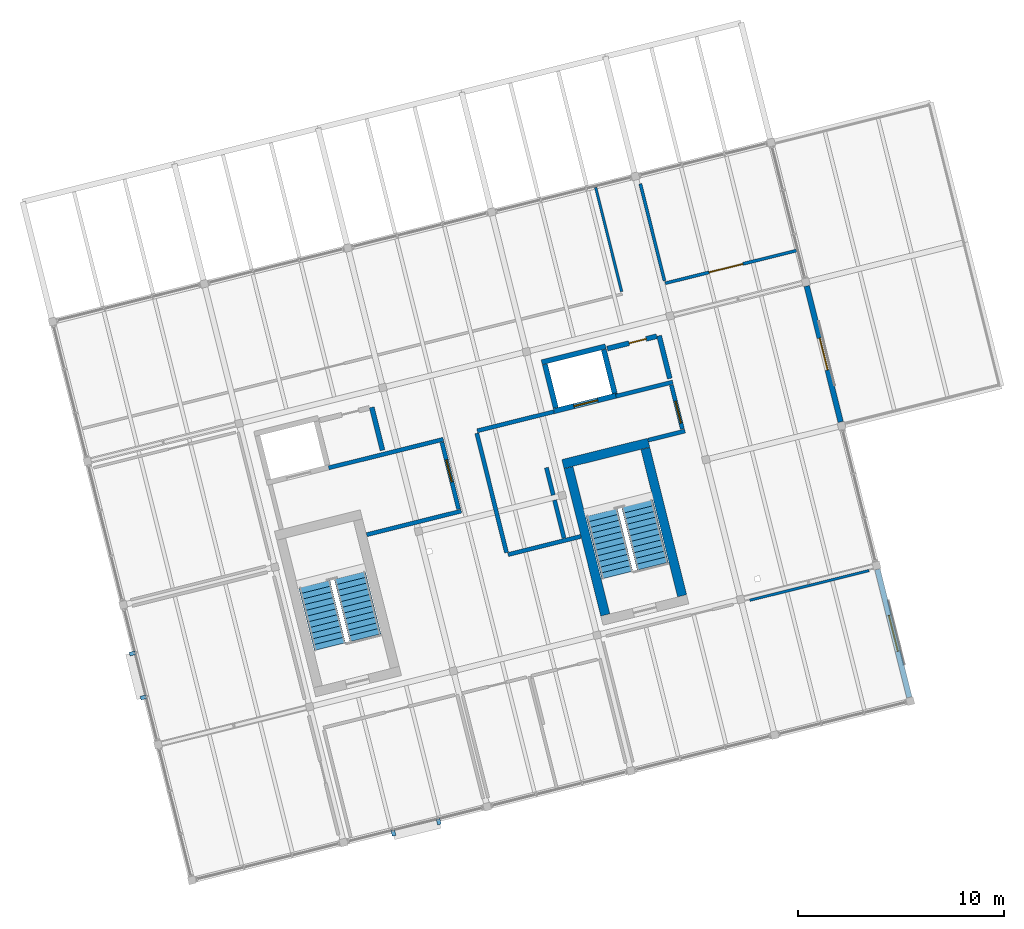
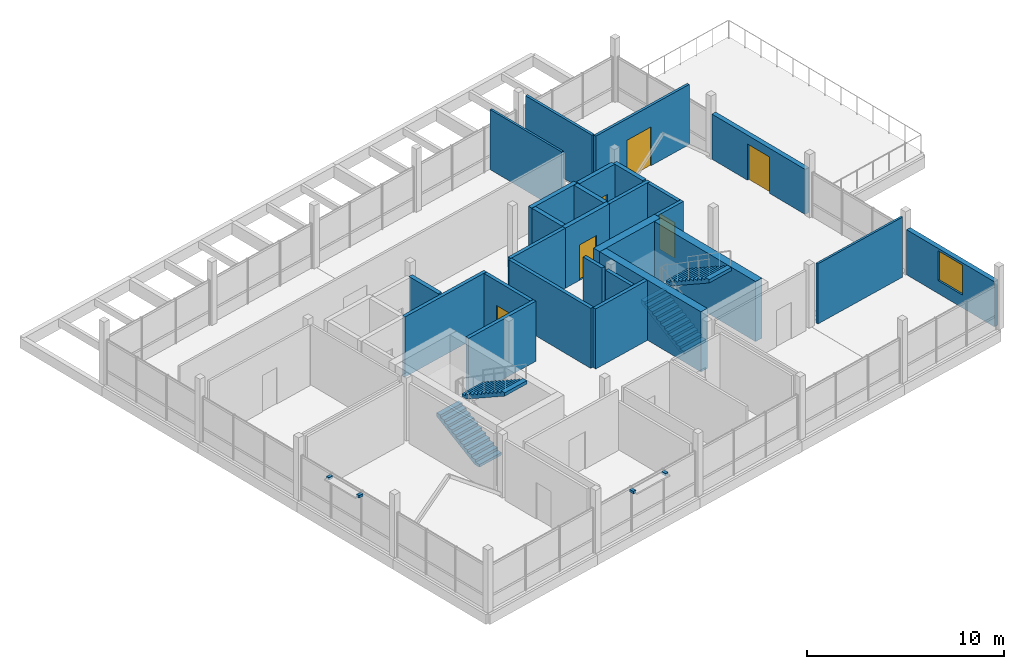
# One storey, part 27 of 28: 27 walls, 6 doors, 4 discrete accessories, 4 stair flights, 1 window, 7 openings, 2 elements without a shape of their own.
"""IFC4 building model written with IfcOpenShell, lengths in metres."""

from ifc_helpers import new_model, si_unit, direction, frame, frame_2d, origin, origin_2d, place, context, subcontext, project, spatial, polyline, rectangle, outline, extrude, material, layer, layer_set, type_object, element, fill, aggregate, save


model = new_model("IFC4")

# Units and contexts
model_context = context("Model", 3, precision=1e-05, world=origin(), true_north=direction((0.0, 1.0)))
body_context = subcontext(model_context, "Body", "Model", "MODEL_VIEW")
ifc_project = project(units=[si_unit("LENGTHUNIT", "METRE"), si_unit("AREAUNIT", "SQUARE_METRE"), si_unit("VOLUMEUNIT", "CUBIC_METRE"), si_unit("PLANEANGLEUNIT", "RADIAN"), si_unit("MASSUNIT", "GRAM", prefix="KILO")], contexts=[model_context])

# Site, building, storey
site_placement = place(None, origin())
site = spatial("IfcSite", under=ifc_project, at=site_placement, CompositionType="ELEMENT")
building_placement = place(site_placement, origin())
building = spatial("IfcBuilding", under=site, at=building_placement, Name="Meriwether Solvik Hall", CompositionType="ELEMENT")
storey_placement = place(building_placement, frame((0.0, 0.0, 45.60009765625)))
storey = spatial("IfcBuildingStorey", under=building, at=storey_placement, Name="L11", CompositionType="ELEMENT", Elevation=45.60009765625)

# Wall, opening, window
ifc_material_1 = material(Name="Charred Western Red Cedar Timber and Mineral Wool", Category="wood")
ifc_layer_1 = layer(ifc_material_1, 0.27001953125)
ifc_layer_set_1 = layer_set([ifc_layer_1], Name="Charred Western Red Cedar Timber and Mineral Wool")
wall_type_1 = type_object("IfcWallType", Name="WALL-EXT-270", PredefinedType="SOLIDWALL", material=ifc_layer_set_1)
wall_1_placement = place(storey_placement, frame((101.9326171875, 56.318359375, 0.0), z_axis=(0.0, 0.0, 1.0), x_axis=(0.241935226372, -0.970292402444, 0.0)))
wall_1 = element("IfcWall", 1, at=wall_1_placement, inside=storey, type_object=wall_type_1, Name="L11 Timber Rainscreen Wall 2.0", PredefinedType="SOLIDWALL", context=body_context, shape_type="SweptSolid", body=[
    extrude(rectangle(XDim=6.410888671875, YDim=0.27001953125, at=frame_2d((3.20556640625, 0.0))), origin(), (0.0, 0.0, 1.0), 2.789794921875),
])
opening_1_placement = place(wall_1_placement, frame((2.305419921875, 0.0, 0.800048828125)))
opening_1 = element("IfcOpeningElement", 2, at=opening_1_placement, cuts=wall_1, Name="Opening WN-188", PredefinedType="OPENING", context=body_context, shape_type="SweptSolid", body=[
    extrude(rectangle(XDim=1.800048828125, YDim=1.85009765625, at=frame_2d((0.89990234375, 0.925048828125))), frame((0.0, 0.14697265625, 0.0), z_axis=(0.0, -1.0, 0.0), x_axis=(1.0, 0.0, 0.0)), (0.0, 0.0, 1.0), 0.2939453125),
])
ifc_material_2 = material(Name="Thermally Broken Anodised Aluminium and Triple Low-E Glass", Category="aluminium")
window_type = type_object("IfcWindowType", Name="WIN-TW-UPP-180X185", PartitioningType="SINGLE_PANEL", PredefinedType="WINDOW", material=ifc_material_2)
window_placement = place(opening_1_placement, origin())
window = element("IfcWindow", 3, at=window_placement, inside=storey, type_object=window_type, Name="L11 Punched Window 2.0", OverallHeight=1.85009765625, OverallWidth=1.800048828125, PartitioningType="SINGLE_PANEL", PredefinedType="WINDOW", context=body_context, shape_type="SweptSolid", body=[
    extrude(rectangle(XDim=1.800048828125, YDim=1.85009765625, at=frame_2d((0.89990234375, 0.925048828125))), frame((0.0, 0.030029296875, 0.0), z_axis=(0.0, -1.0, 0.0), x_axis=(1.0, 0.0, 0.0)), (0.0, 0.0, 1.0), 0.06005859375),
])
fill(opening_1, window)

# Wall, opening, door
wall_2_placement = place(storey_placement, frame((98.497314453125, 70.0966796875, 0.0), z_axis=(0.0, 0.0, 1.0), x_axis=(0.241919880577, -0.970296228675, 0.0)))
wall_2 = element("IfcWall", 4, at=wall_2_placement, inside=storey, type_object=wall_type_1, Name="L11 Timber Rainscreen Wall 2.2", PredefinedType="SOLIDWALL", context=body_context, shape_type="SweptSolid", body=[
    extrude(rectangle(XDim=6.81103515625, YDim=0.27001953125, at=frame_2d((3.405517578125, 0.0))), origin(), (0.0, 0.0, 1.0), 2.789794921875),
])
opening_2_placement = place(wall_2_placement, frame((2.60546875, 0.0, 0.0)))
opening_2 = element("IfcOpeningElement", 5, at=opening_2_placement, cuts=wall_2, Name="Opening D-120", PredefinedType="OPENING", context=body_context, shape_type="SweptSolid", body=[
    extrude(rectangle(XDim=1.60009765625, YDim=2.25, at=frame_2d((0.800048828125, 1.125))), frame((0.0, 0.14697265625, 0.0), z_axis=(0.0, -1.0, 0.0), x_axis=(1.0, 0.0, 0.0)), (0.0, 0.0, 1.0), 0.2939453125),
])
ifc_material_3 = material(Name="Thermally Broken Anodised Aluminium and Laminated Glass", Category="aluminium")
door_type_1 = type_object("IfcDoorType", Name="DR-EXT-TERR-1600", OperationType="DOUBLE_DOOR_SINGLE_SWING", PredefinedType="DOOR", material=ifc_material_3)
door_1_placement = place(opening_2_placement, origin())
door_1 = element("IfcDoor", 6, at=door_1_placement, inside=storey, type_object=door_type_1, Name="L11 Setback Terrace Door", OperationType="DOUBLE_DOOR_SINGLE_SWING", OverallHeight=2.25, OverallWidth=1.60009765625, PredefinedType="DOOR", context=body_context, shape_type="SweptSolid", body=[
    extrude(rectangle(XDim=1.60009765625, YDim=2.25, at=frame_2d((0.800048828125, 1.125))), frame((0.0, 0.02490234375, 0.0), z_axis=(0.0, -1.0, 0.0), x_axis=(1.0, 0.0, 0.0)), (0.0, 0.0, 1.0), 0.050048828125),
])
fill(opening_2, door_1)

# Walls
ifc_material_4 = material(Name="Fire-Rated Type X Gypsum Board", Category="gypsum")
ifc_layer_2 = layer(ifc_material_4, 0.199951171875)
ifc_layer_set_2 = layer_set([ifc_layer_2], Name="Fire-Rated Type X Gypsum Board")
wall_type_2 = type_object("IfcWallType", Name="WALL-FIRE-200", PredefinedType="STANDARD", material=ifc_layer_set_2)
wall_3_placement = place(storey_placement, frame((77.096923828125, 58.0048828125, 0.0), z_axis=(0.0, 0.0, 1.0), x_axis=(0.970305892741, 0.241881116483, 0.0)))
element("IfcWall", 7, at=wall_3_placement, inside=storey, type_object=wall_type_2, Name="L11 Interior Partition lb1_s", PredefinedType="STANDARD", context=body_context, shape_type="SweptSolid", body=[
    extrude(rectangle(XDim=4.73974609375, YDim=0.199951171875, at=frame_2d((2.369873046875, 0.0))), origin(), (0.0, 0.0, 1.0), 3.719970703125),
])
wall_4_placement = place(storey_placement, frame((75.24609375, 61.25341796875, 0.0), z_axis=(0.0, 0.0, 1.0), x_axis=(0.970292173201, 0.24193614576, 0.0)))
element("IfcWall", 8, at=wall_4_placement, inside=storey, type_object=wall_type_2, Name="L11 Interior Partition lb1_n_cap", PredefinedType="STANDARD", context=body_context, shape_type="SweptSolid", body=[
    extrude(rectangle(XDim=5.75, YDim=0.199951171875, at=frame_2d((2.875, 0.0))), origin(), (0.0, 0.0, 1.0), 3.719970703125),
])

# Wall, opening, door
wall_5_placement = place(storey_placement, frame((80.75732421875, 62.50390625, 0.0), z_axis=(0.0, 0.0, 1.0), x_axis=(0.241885902723, -0.970304699599, 0.0)))
wall_5 = element("IfcWall", 9, at=wall_5_placement, inside=storey, type_object=wall_type_2, Name="L11 Interior Partition lb1_e", PredefinedType="STANDARD", context=body_context, shape_type="SweptSolid", body=[
    extrude(rectangle(XDim=3.360107421875, YDim=0.199951171875, at=frame_2d((1.68017578125, 0.0))), origin(), (0.0, 0.0, 1.0), 3.719970703125),
])
opening_3_placement = place(wall_5_placement, frame((0.889892578125, 0.0, 0.0)))
opening_3 = element("IfcOpeningElement", 10, at=opening_3_placement, cuts=wall_5, Name="Opening D-168", PredefinedType="OPENING", context=body_context, shape_type="SweptSolid", body=[
    extrude(rectangle(XDim=1.10009765625, YDim=2.199951171875, at=frame_2d((0.550048828125, 1.10009765625))), frame((0.0, 0.11181640625, 0.0), z_axis=(0.0, -1.0, 0.0), x_axis=(1.0, 0.0, 0.0)), (0.0, 0.0, 1.0), 0.223876953125),
])
ifc_material_5 = material(Name="Steel A36 Galvanised", Category="steel")
door_type_2 = type_object("IfcDoorType", Name="DR-FD60-1100L", OperationType="SINGLE_SWING_LEFT", PredefinedType="DOOR", material=ifc_material_5)
door_2_placement = place(opening_3_placement, origin())
door_2 = element("IfcDoor", 11, at=door_2_placement, inside=storey, type_object=door_type_2, Name="West FSAE Lift Lobby Door (L11)", OperationType="SINGLE_SWING_LEFT", OverallHeight=2.199951171875, OverallWidth=1.10009765625, PredefinedType="DOOR", context=body_context, shape_type="SweptSolid", body=[
    extrude(rectangle(XDim=1.10009765625, YDim=2.199951171875, at=frame_2d((0.550048828125, 1.10009765625))), frame((0.0, 0.02490234375, 0.0), z_axis=(0.0, -1.0, 0.0), x_axis=(1.0, 0.0, 0.0)), (0.0, 0.0, 1.0), 0.050048828125),
])
fill(opening_3, door_2)

# Walls
wall_6_placement = place(storey_placement, frame((82.452880859375, 62.93701171875, 0.0), z_axis=(0.0, 0.0, 1.0), x_axis=(0.241891967324, -0.970303187743, 0.0)))
element("IfcWall", 12, at=wall_6_placement, inside=storey, type_object=wall_type_2, Name="L11 Interior Partition lb2_w", PredefinedType="STANDARD", context=body_context, shape_type="SweptSolid", body=[
    extrude(rectangle(XDim=5.97998046875, YDim=0.199951171875, at=frame_2d((2.989990234375, 0.0))), origin(), (0.0, 0.0, 1.0), 3.719970703125),
])
wall_7_placement = place(storey_placement, frame((83.972412109375, 57.03955078125, 0.0), z_axis=(0.0, 0.0, 1.0), x_axis=(0.97030000841, 0.241904720251, 0.0)))
element("IfcWall", 13, at=wall_7_placement, inside=storey, type_object=wall_type_2, Name="L11 Interior Partition lb2_s_w", PredefinedType="STANDARD", context=body_context, shape_type="SweptSolid", body=[
    extrude(rectangle(XDim=3.642333984375, YDim=0.199951171875, at=frame_2d((1.8212890625, 0.0))), origin(), (0.0, 0.0, 1.0), 3.719970703125),
])
wall_8_placement = place(storey_placement, frame((86.691650390625, 57.841064453125, 0.0), z_axis=(0.0, 0.0, 1.0), x_axis=(-0.241992731984, 0.970278062035, 0.0)))
element("IfcWall", 14, at=wall_8_placement, inside=storey, type_object=wall_type_2, Name="L11 Interior Partition lb2_e_low", PredefinedType="STANDARD", context=body_context, shape_type="SweptSolid", body=[
    extrude(rectangle(XDim=1.90478515625, YDim=0.199951171875, at=frame_2d((0.952392578125, 0.0))), origin(), (0.0, 0.0, 1.0), 3.719970703125),
])
wall_9_placement = place(storey_placement, frame((86.169921875, 59.932861328125, 0.0), z_axis=(0.0, 0.0, 1.0), x_axis=(-0.241824833036, 0.970319921535, 0.0)))
element("IfcWall", 15, at=wall_9_placement, inside=storey, type_object=wall_type_2, Name="L11 Interior Partition lb2_e_low_s2", PredefinedType="STANDARD", context=body_context, shape_type="SweptSolid", body=[
    extrude(rectangle(XDim=1.3740234375, YDim=0.199951171875, at=frame_2d((0.68701171875, 0.0))), origin(), (0.0, 0.0, 1.0), 3.719970703125),
])
wall_10_placement = place(storey_placement, frame((82.47265625, 63.05517578125, 0.0), z_axis=(0.0, 0.0, 1.0), x_axis=(0.970284368558, 0.241967444366, 0.0)))
element("IfcWall", 16, at=wall_10_placement, inside=storey, type_object=wall_type_2, Name="L11 Interior Partition lb2_n_cap_w", PredefinedType="STANDARD", context=body_context, shape_type="SweptSolid", body=[
    extrude(rectangle(XDim=3.84228515625, YDim=0.199951171875, at=frame_2d((1.921142578125, 0.0))), origin(), (0.0, 0.0, 1.0), 3.719970703125),
])
wall_11_placement = place(storey_placement, frame((90.791015625, 62.604248046875, 0.0), z_axis=(0.0, 0.0, 1.0), x_axis=(0.970306180373, 0.241879962645, 0.0)))
element("IfcWall", 17, at=wall_11_placement, inside=storey, type_object=wall_type_2, Name="L11 Interior Partition lb2_s", PredefinedType="STANDARD", context=body_context, shape_type="SweptSolid", body=[
    extrude(rectangle(XDim=1.840087890625, YDim=0.199951171875, at=frame_2d((0.919921875, 0.0))), origin(), (0.0, 0.0, 1.0), 3.719970703125),
])
wall_12_placement = place(storey_placement, frame((89.21826171875, 64.737060546875, 0.0), z_axis=(0.0, 0.0, 1.0), x_axis=(0.97027839681, 0.241991389687, 0.0)))
element("IfcWall", 18, at=wall_12_placement, inside=storey, type_object=wall_type_2, Name="L11 Interior Partition lb2_n_cap", PredefinedType="STANDARD", context=body_context, shape_type="SweptSolid", body=[
    extrude(rectangle(XDim=2.85009765625, YDim=0.199951171875, at=frame_2d((1.425048828125, 0.0))), origin(), (0.0, 0.0, 1.0), 3.719970703125),
])

# Wall, opening, door
wall_13_placement = place(storey_placement, frame((91.91552734375, 65.2861328125, 0.0), z_axis=(0.0, 0.0, 1.0), x_axis=(0.241911789465, -0.970298245963, 0.0)))
wall_13 = element("IfcWall", 19, at=wall_13_placement, inside=storey, type_object=wall_type_2, Name="L11 Interior Partition lb2_e", PredefinedType="STANDARD", context=body_context, shape_type="SweptSolid", body=[
    extrude(rectangle(XDim=2.210205078125, YDim=0.199951171875, at=frame_2d((1.10498046875, 0.0))), origin(), (0.0, 0.0, 1.0), 3.719970703125),
])
opening_4_placement = place(wall_13_placement, frame((0.81005859375, 0.0, 0.0)))
opening_4 = element("IfcOpeningElement", 20, at=opening_4_placement, cuts=wall_13, Name="Opening D-168", PredefinedType="OPENING", context=body_context, shape_type="SweptSolid", body=[
    extrude(rectangle(XDim=1.10009765625, YDim=2.199951171875, at=frame_2d((0.550048828125, 1.10009765625))), frame((0.0, 0.11181640625, 0.0), z_axis=(0.0, -1.0, 0.0), x_axis=(1.0, 0.0, 0.0)), (0.0, 0.0, 1.0), 0.223876953125),
])
door_3_placement = place(opening_4_placement, origin())
door_3 = element("IfcDoor", 21, at=door_3_placement, inside=storey, type_object=door_type_2, Name="East FSAE Lift Lobby Door (L11)", OperationType="SINGLE_SWING_LEFT", OverallHeight=2.199951171875, OverallWidth=1.10009765625, PredefinedType="DOOR", context=body_context, shape_type="SweptSolid", body=[
    extrude(rectangle(XDim=1.10009765625, YDim=2.199951171875, at=frame_2d((0.550048828125, 1.10009765625))), frame((0.0, 0.02490234375, 0.0), z_axis=(0.0, -1.0, 0.0), x_axis=(1.0, 0.0, 0.0)), (0.0, 0.0, 1.0), 0.050048828125),
])
fill(opening_4, door_3)

# Walls
ifc_material_6 = material(Name="Concrete C40/50", Category="concrete")
ifc_layer_3 = layer(ifc_material_6, 0.25)
ifc_layer_set_3 = layer_set([ifc_layer_3], Name="Concrete C40/50")
wall_type_3 = type_object("IfcWallType", Name="WALL-HOIST-250", PredefinedType="SHEAR", material=ifc_layer_set_3)
wall_14_placement = place(storey_placement, frame((88.716552734375, 67.162841796875, 0.0), z_axis=(0.0, 0.0, 1.0), x_axis=(-0.970294894235, -0.241925232711, 0.0)))
element("IfcWall", 22, at=wall_14_placement, inside=storey, type_object=wall_type_3, Name="Hoistway BANK2 North Wall (L11)", PredefinedType="SHEAR", context=body_context, shape_type="SweptSolid", body=[
    extrude(rectangle(XDim=3.199951171875, YDim=0.25, at=frame_2d((1.60009765625, 0.0))), origin(), (0.0, 0.0, 1.0), 3.719970703125),
])
for number, where, z_axis, x_axis, name in (
    (23, (85.765625, 66.287841796875, 0.0), (0.0, 0.0, 1.0), (0.241903146974, -0.970300400641, 0.0), "Hoistway BANK2 West Wall (L11)"),
    (24, (89.1552734375, 64.886474609375, 0.0), (0.0, 0.0, 1.0), (-0.241903146974, 0.970300400641, 0.0), "Hoistway BANK2 East Wall (L11)"),
):
    element("IfcWall", number, at=place(storey_placement, frame(where, z_axis=z_axis, x_axis=x_axis)), inside=storey, type_object=wall_type_3, Name=name, PredefinedType="SHEAR", context=body_context, shape_type="SweptSolid", body=[
        extrude(rectangle(XDim=2.179931640625, YDim=0.25, at=frame_2d((1.08984375, 0.0))), origin(), (0.0, 0.0, 1.0), 3.719970703125),
    ])

# Wall, opening, door
wall_15_placement = place(storey_placement, frame((86.204345703125, 64.011474609375, 0.0), z_axis=(0.0, 0.0, 1.0), x_axis=(0.970294894235, 0.241925232711, 0.0)))
wall_15 = element("IfcWall", 25, at=wall_15_placement, inside=storey, type_object=wall_type_3, Name="Lift LF-02 Landing Wall (L11)", PredefinedType="SHEAR", context=body_context, shape_type="SweptSolid", body=[
    extrude(rectangle(XDim=3.199951171875, YDim=0.25, at=frame_2d((1.60009765625, 0.0))), origin(), (0.0, 0.0, 1.0), 3.719970703125),
])
opening_5_placement = place(wall_15_placement, frame((1.0, 0.0, 0.0)))
opening_5 = element("IfcOpeningElement", 26, at=opening_5_placement, cuts=wall_15, Name="Opening LD-02", PredefinedType="OPENING", context=body_context, shape_type="SweptSolid", body=[
    extrude(rectangle(XDim=1.199951171875, YDim=2.199951171875, at=frame_2d((0.60009765625, 1.10009765625))), frame((0.0, 0.136962890625, 0.0), z_axis=(0.0, -1.0, 0.0), x_axis=(1.0, 0.0, 0.0)), (0.0, 0.0, 1.0), 0.27392578125),
])
ifc_material_7 = material(Name="Stainless Steel AISI 316", Category="steel")
door_type_3 = type_object("IfcDoorType", Name="DR-LIFT-FSAE", OperationType="DOUBLE_DOOR_SLIDING", PredefinedType="DOOR", material=ifc_material_7)
door_4_placement = place(opening_5_placement, origin())
door_4 = element("IfcDoor", 27, at=door_4_placement, inside=storey, type_object=door_type_3, Name="Lift Landing Door LF-02 (L11)", OperationType="DOUBLE_DOOR_SLIDING", OverallHeight=2.199951171875, OverallWidth=1.199951171875, PredefinedType="DOOR", context=body_context, shape_type="SweptSolid", body=[
    extrude(rectangle(XDim=1.199951171875, YDim=2.199951171875, at=frame_2d((0.60009765625, 1.10009765625))), frame((0.0, 0.02490234375, 0.0), z_axis=(0.0, -1.0, 0.0), x_axis=(1.0, 0.0, 0.0)), (0.0, 0.0, 1.0), 0.050048828125),
])
fill(opening_5, door_4)

# Walls
ifc_material_8 = material(Name="Gypsum Board Partition", Category="gypsum")
ifc_layer_4 = layer(ifc_material_8, 0.125)
ifc_layer_set_4 = layer_set([ifc_layer_4], Name="Gypsum Board Partition")
wall_type_4 = type_object("IfcWallType", Name="WALL-PART-125", PredefinedType="PARTITIONING", material=ifc_layer_set_4)
wall_16_placement = place(storey_placement, frame((89.49560546875, 69.825439453125, 0.0), z_axis=(0.0, 0.0, 1.0), x_axis=(-0.241941325135, 0.970290881742, 0.0)))
element("IfcWall", 28, at=wall_16_placement, inside=storey, type_object=wall_type_4, Name="L11 Interior Partition res_11n_e", PredefinedType="PARTITIONING", context=body_context, shape_type="SweptSolid", body=[
    extrude(rectangle(XDim=5.219970703125, YDim=0.125, at=frame_2d((2.60986328125, 0.0))), origin(), (0.0, 0.0, 1.0), 3.719970703125),
])
wall_17_placement = place(storey_placement, frame((101.520751953125, 56.26171875, 0.0), z_axis=(0.0, 0.0, 1.0), x_axis=(-0.970293732071, -0.24192989378, 0.0)))
element("IfcWall", 29, at=wall_17_placement, inside=storey, type_object=wall_type_4, Name="L11 Interior Partition off_11s_n", PredefinedType="PARTITIONING", context=body_context, shape_type="SweptSolid", body=[
    extrude(rectangle(XDim=5.97509765625, YDim=0.125, at=frame_2d((2.987548828125, 0.0))), origin(), (0.0, 0.0, 1.0), 3.719970703125),
])

# Wall, opening, door
ifc_material_9 = material(Name="Gypsum Board Partition", Category="gypsum")
ifc_layer_5 = layer(ifc_material_9, 0.14990234375)
ifc_layer_set_5 = layer_set([ifc_layer_5], Name="Gypsum Board Partition")
wall_type_5 = type_object("IfcWallType", Name="WALL-PART-150", PredefinedType="PARTITIONING", material=ifc_layer_set_5)
wall_18_placement = place(storey_placement, frame((91.61083984375, 70.22900390625, 0.0), z_axis=(0.0, 0.0, 1.0), x_axis=(0.970294860044, 0.241925369839, 0.0)))
wall_18 = element("IfcWall", 30, at=wall_18_placement, inside=storey, type_object=wall_type_5, Name="L11 Interior Partition sky_lng_s", PredefinedType="PARTITIONING", context=body_context, shape_type="SweptSolid", body=[
    extrude(rectangle(XDim=6.58984375, YDim=0.14990234375, at=frame_2d((3.294921875, 0.0))), origin(), (0.0, 0.0, 1.0), 3.719970703125),
])
opening_6_placement = place(wall_18_placement, frame((2.199951171875, 0.0, 0.0)))
opening_6 = element("IfcOpeningElement", 31, at=opening_6_placement, cuts=wall_18, Name="Opening D-114", PredefinedType="OPENING", context=body_context, shape_type="SweptSolid", body=[
    extrude(rectangle(XDim=1.699951171875, YDim=2.39990234375, at=frame_2d((0.85009765625, 1.199951171875))), frame((0.0, 0.0869140625, 0.0), z_axis=(0.0, -1.0, 0.0), x_axis=(1.0, 0.0, 0.0)), (0.0, 0.0, 1.0), 0.173828125),
])
ifc_material_10 = material(Name="Laminated Vision Glass and Solid White Oak Timber", Category="wood")
door_type_4 = type_object("IfcDoorType", Name="DR-GAL-1700", OperationType="DOUBLE_DOOR_SINGLE_SWING", PredefinedType="DOOR", material=ifc_material_10)
door_5_placement = place(opening_6_placement, origin())
door_5 = element("IfcDoor", 32, at=door_5_placement, inside=storey, type_object=door_type_4, Name="L11 Setback Sky-Terrace Lounge Door", OperationType="DOUBLE_DOOR_SINGLE_SWING", OverallHeight=2.39990234375, OverallWidth=1.699951171875, PredefinedType="DOOR", context=body_context, shape_type="SweptSolid", body=[
    extrude(rectangle(XDim=1.699951171875, YDim=2.39990234375, at=frame_2d((0.85009765625, 1.199951171875))), frame((0.0, 0.02490234375, 0.0), z_axis=(0.0, -1.0, 0.0), x_axis=(1.0, 0.0, 0.0)), (0.0, 0.0, 1.0), 0.050048828125),
])
fill(opening_6, door_5)

# Walls
wall_19_placement = place(storey_placement, frame((90.404296875, 75.0673828125, 0.0), z_axis=(0.0, 0.0, 1.0), x_axis=(0.24195718177, -0.970286927764, 0.0)))
element("IfcWall", 33, at=wall_19_placement, inside=storey, type_object=wall_type_5, Name="L11 Interior Partition sky_lng_w", PredefinedType="PARTITIONING", context=body_context, shape_type="SweptSolid", body=[
    extrude(rectangle(XDim=4.866455078125, YDim=0.14990234375, at=frame_2d((2.43310546875, 0.0))), origin(), (0.0, 0.0, 1.0), 3.719970703125),
])
ifc_material_11 = material(Name="Concrete C45/55", Category="concrete")
ifc_layer_6 = layer(ifc_material_11, 0.449951171875)
ifc_layer_set_6 = layer_set([ifc_layer_6], Name="Concrete C45/55")
wall_type_6 = type_object("IfcWallType", Name="WALL-RC-450", PredefinedType="SHEAR", material=ifc_layer_set_6)
wall_20_placement = place(storey_placement, frame((90.8115234375, 62.48046875, 0.0), z_axis=(0.0, 0.0, 1.0), x_axis=(-0.970309259708, -0.2418676095, 0.0)))
element("IfcWall", 34, at=wall_20_placement, inside=storey, type_object=wall_type_6, Name="CORE-2 Shear Wall N (L11)", PredefinedType="SHEAR", context=body_context, shape_type="SweptSolid", body=[
    extrude(rectangle(XDim=4.300048828125, YDim=0.449951171875, at=frame_2d((2.14990234375, 0.0))), origin(), (0.0, 0.0, 1.0), 3.719970703125),
])
for number, where, z_axis, x_axis, name in (
    (35, (86.91455078125, 61.266845703125, 0.0), (0.0, 0.0, 1.0), (0.241889515465, -0.970303798976, 0.0), "CORE-2 Shear Wall W (L11)"),
    (36, (92.435546875, 55.037353515625, 0.0), (0.0, 0.0, 1.0), (-0.241920660665, 0.970296034179, 0.0), "CORE-2 Shear Wall E (L11)"),
):
    element("IfcWall", number, at=place(storey_placement, frame(where, z_axis=z_axis, x_axis=x_axis)), inside=storey, type_object=wall_type_6, Name=name, PredefinedType="SHEAR", context=body_context, shape_type="SweptSolid", body=[
        extrude(rectangle(XDim=7.380126953125, YDim=0.449951171875, at=frame_2d((3.68994140625, 0.0))), origin(), (0.0, 0.0, 1.0), 3.719970703125),
    ])
ifc_material_12 = material(Name="Concrete C35/45", Category="concrete")
ifc_layer_7 = layer(ifc_material_12, 0.239990234375)
ifc_layer_set_7 = layer_set([ifc_layer_7], Name="Concrete C35/45")
wall_type_7 = type_object("IfcWallType", Name="WALL-SHAFT-240", PredefinedType="STANDARD", material=ifc_layer_set_7)
for number, where, z_axis, x_axis, name in (
    (37, (77.865966796875, 62.11279296875, 0.0), (0.0, 0.0, 1.0), (-0.2418676095, 0.970309259708, 0.0), "L11 Interior Partition riser1_e"),
    (38, (91.838134765625, 65.596435546875, 0.0), (0.0, 0.0, 1.0), (-0.2418676095, 0.970309259708, 0.0), "L11 Interior Partition riser2_e"),
):
    element("IfcWall", number, at=place(storey_placement, frame(where, z_axis=z_axis, x_axis=x_axis)), inside=storey, type_object=wall_type_7, Name=name, PredefinedType="STANDARD", context=body_context, shape_type="SweptSolid", body=[
        extrude(rectangle(XDim=2.14990234375, YDim=0.239990234375, at=frame_2d((1.074951171875, 0.0))), origin(), (0.0, 0.0, 1.0), 3.719970703125),
    ])

# Wall, opening, door
wall_21_placement = place(storey_placement, frame((91.20166015625, 67.653564453125, 0.0), z_axis=(0.0, 0.0, 1.0), x_axis=(-0.970304433136, -0.241886971613, 0.0)))
wall_21 = element("IfcWall", 39, at=wall_21_placement, inside=storey, type_object=wall_type_7, Name="L11 Interior Partition riser2_n", PredefinedType="STANDARD", context=body_context, shape_type="SweptSolid", body=[
    extrude(rectangle(XDim=2.47998046875, YDim=0.239990234375, at=frame_2d((1.239990234375, 0.0))), origin(), (0.0, 0.0, 1.0), 3.719970703125),
])
opening_7_placement = place(wall_21_placement, frame((0.530029296875, 0.0, 0.0)))
opening_7 = element("IfcOpeningElement", 40, at=opening_7_placement, cuts=wall_21, Name="Opening D-186", PredefinedType="OPENING", context=body_context, shape_type="SweptSolid", body=[
    extrude(rectangle(XDim=0.85009765625, YDim=2.10009765625, at=frame_2d((0.425048828125, 1.050048828125))), frame((0.0, 0.1318359375, 0.0), z_axis=(0.0, -1.0, 0.0), x_axis=(1.0, 0.0, 0.0)), (0.0, 0.0, 1.0), 0.263916015625),
])
ifc_material_13 = material(Name="Steel A36 Galvanised", Category="steel")
door_type_5 = type_object("IfcDoorType", Name="DR-FD60-850R", OperationType="SINGLE_SWING_RIGHT", PredefinedType="DOOR", material=ifc_material_13)
door_6_placement = place(opening_7_placement, origin())
door_6 = element("IfcDoor", 41, at=door_6_placement, inside=storey, type_object=door_type_5, Name="Electrical Riser Closet Door (L11)", OperationType="SINGLE_SWING_RIGHT", OverallHeight=2.10009765625, OverallWidth=0.85009765625, PredefinedType="DOOR", context=body_context, shape_type="SweptSolid", body=[
    extrude(rectangle(XDim=0.85009765625, YDim=2.10009765625, at=frame_2d((0.425048828125, 1.050048828125))), frame((0.0, 0.02490234375, 0.0), z_axis=(0.0, -1.0, 0.0), x_axis=(1.0, 0.0, 0.0)), (0.0, 0.0, 1.0), 0.050048828125),
])
fill(opening_7, door_6)

# Stair, stair flights
ifc_material_14 = material(Name="Concrete C40/50", Category="concrete")
stair_type = type_object("IfcStairType", Name="STR-CORE-DOGLEG-A", PredefinedType="TWO_STRAIGHT_RUN_STAIR", material=ifc_material_14)
stair_1_placement = place(storey_placement, origin())
stair_1 = element("IfcStair", 42, at=stair_1_placement, inside=storey, type_object=stair_type, Name="Exit Stair ST-01 (L11)", PredefinedType="TWO_STRAIGHT_RUN_STAIR")
ifc_material_15 = material(Name="Concrete C40/50", Category="concrete")
stair_flight_type = type_object("IfcStairFlightType", Name="SFL-RC-156", PredefinedType="STRAIGHT", material=ifc_material_15)
stair_flight_1_placement = place(storey_placement, frame((75.310791015625, 52.56103515625, 0.0), z_axis=(0.0, 0.0, 1.0), x_axis=(-0.2419218956, 0.970295726276, 0.0)))
stair_flight_1 = element("IfcStairFlight", 43, at=stair_flight_1_placement, type_object=stair_flight_type, Name="Stair ST-01 Lower Flight (L11)", NumberOfRisers=12, NumberOfTreads=11, PredefinedType="STRAIGHT", RiserHeight=0.1625, TreadLength=0.285, context=body_context, shape_type="SweptSolid", body=[
    extrude(outline(polyline([(0.0, 0.0), (0.0, 0.16259765625), (0.284912109375, 0.16259765625), (0.284912109375, 0.324951171875), (0.570068359375, 0.324951171875), (0.570068359375, 0.487548828125), (0.85498046875, 0.487548828125), (0.85498046875, 0.64990234375), (1.139892578125, 0.64990234375), (1.139892578125, 0.8125), (1.425048828125, 0.8125), (1.425048828125, 0.97509765625), (1.7099609375, 0.97509765625), (1.7099609375, 1.137451171875), (1.9951171875, 1.137451171875), (1.9951171875, 1.300048828125), (2.280029296875, 1.300048828125), (2.280029296875, 1.46240234375), (2.56494140625, 1.46240234375), (2.56494140625, 1.625), (2.85009765625, 1.625), (2.85009765625, 1.78759765625), (3.135009765625, 1.78759765625), (3.135009765625, 1.949951171875), (3.135009765625, 1.580322265625), (0.36328125, 0.0), (0.0, 0.0)])), frame((0.0, 0.780029296875, 0.0), z_axis=(0.0, -1.0, 0.0), x_axis=(1.0, 0.0, 0.0)), (0.0, 0.0, 1.0), 1.56005859375),
])
stair_flight_2_placement = place(storey_placement, frame((76.279541015625, 56.033447265625, 1.949951171875), z_axis=(0.0, 0.0, 1.0), x_axis=(0.2419218956, -0.970295726276, 0.0)))
stair_flight_2 = element("IfcStairFlight", 44, at=stair_flight_2_placement, type_object=stair_flight_type, Name="Stair ST-01 Upper Flight (L11)", NumberOfRisers=12, NumberOfTreads=11, PredefinedType="STRAIGHT", RiserHeight=0.1625, TreadLength=0.285, context=body_context, shape_type="SweptSolid", body=[
    extrude(outline(polyline([(0.0, 0.0), (0.0, 0.16259765625), (0.284912109375, 0.16259765625), (0.284912109375, 0.324951171875), (0.570068359375, 0.324951171875), (0.570068359375, 0.487548828125), (0.85498046875, 0.487548828125), (0.85498046875, 0.64990234375), (1.139892578125, 0.64990234375), (1.139892578125, 0.8125), (1.425048828125, 0.8125), (1.425048828125, 0.97509765625), (1.7099609375, 0.97509765625), (1.7099609375, 1.137451171875), (1.9951171875, 1.137451171875), (1.9951171875, 1.300048828125), (2.280029296875, 1.300048828125), (2.280029296875, 1.46240234375), (2.56494140625, 1.46240234375), (2.56494140625, 1.625), (2.85009765625, 1.625), (2.85009765625, 1.78759765625), (3.135009765625, 1.78759765625), (3.135009765625, 1.949951171875), (3.135009765625, 1.580322265625), (0.36328125, 0.0), (0.0, 0.0)])), frame((0.0, 0.780029296875, 0.0), z_axis=(0.0, -1.0, 0.0), x_axis=(1.0, 0.0, 0.0)), (0.0, 0.0, 1.0), 1.56005859375),
])
aggregate(stair_1, [stair_flight_1, stair_flight_2])

stair_2_placement = place(storey_placement, origin())
stair_2 = element("IfcStair", 45, at=stair_2_placement, inside=storey, type_object=stair_type, Name="Exit Stair ST-02 (L11)", PredefinedType="TWO_STRAIGHT_RUN_STAIR")
stair_flight_3_placement = place(storey_placement, frame((89.283203125, 56.044677734375, 0.0), z_axis=(0.0, 0.0, 1.0), x_axis=(-0.2419218956, 0.970295726276, 0.0)))
stair_flight_3 = element("IfcStairFlight", 46, at=stair_flight_3_placement, type_object=stair_flight_type, Name="Stair ST-02 Lower Flight (L11)", NumberOfRisers=12, NumberOfTreads=11, PredefinedType="STRAIGHT", RiserHeight=0.1625, TreadLength=0.285, context=body_context, shape_type="SweptSolid", body=[
    extrude(outline(polyline([(0.0, 0.0), (0.0, 0.16259765625), (0.284912109375, 0.16259765625), (0.284912109375, 0.324951171875), (0.570068359375, 0.324951171875), (0.570068359375, 0.487548828125), (0.85498046875, 0.487548828125), (0.85498046875, 0.64990234375), (1.139892578125, 0.64990234375), (1.139892578125, 0.8125), (1.425048828125, 0.8125), (1.425048828125, 0.97509765625), (1.7099609375, 0.97509765625), (1.7099609375, 1.137451171875), (1.9951171875, 1.137451171875), (1.9951171875, 1.300048828125), (2.280029296875, 1.300048828125), (2.280029296875, 1.46240234375), (2.56494140625, 1.46240234375), (2.56494140625, 1.625), (2.85009765625, 1.625), (2.85009765625, 1.78759765625), (3.135009765625, 1.78759765625), (3.135009765625, 1.949951171875), (3.135009765625, 1.580322265625), (0.36328125, 0.0), (0.0, 0.0)])), frame((0.0, 0.780029296875, 0.0), z_axis=(0.0, -1.0, 0.0), x_axis=(1.0, 0.0, 0.0)), (0.0, 0.0, 1.0), 1.56005859375),
])
stair_flight_4_placement = place(storey_placement, frame((90.251953125, 59.51708984375, 1.949951171875), z_axis=(0.0, 0.0, 1.0), x_axis=(0.2419218956, -0.970295726276, 0.0)))
stair_flight_4 = element("IfcStairFlight", 47, at=stair_flight_4_placement, type_object=stair_flight_type, Name="Stair ST-02 Upper Flight (L11)", NumberOfRisers=12, NumberOfTreads=11, PredefinedType="STRAIGHT", RiserHeight=0.1625, TreadLength=0.285, context=body_context, shape_type="SweptSolid", body=[
    extrude(outline(polyline([(0.0, 0.0), (0.0, 0.16259765625), (0.284912109375, 0.16259765625), (0.284912109375, 0.324951171875), (0.570068359375, 0.324951171875), (0.570068359375, 0.487548828125), (0.85498046875, 0.487548828125), (0.85498046875, 0.64990234375), (1.139892578125, 0.64990234375), (1.139892578125, 0.8125), (1.425048828125, 0.8125), (1.425048828125, 0.97509765625), (1.7099609375, 0.97509765625), (1.7099609375, 1.137451171875), (1.9951171875, 1.137451171875), (1.9951171875, 1.300048828125), (2.280029296875, 1.300048828125), (2.280029296875, 1.46240234375), (2.56494140625, 1.46240234375), (2.56494140625, 1.625), (2.85009765625, 1.625), (2.85009765625, 1.78759765625), (3.135009765625, 1.78759765625), (3.135009765625, 1.949951171875), (3.135009765625, 1.580322265625), (0.36328125, 0.0), (0.0, 0.0)])), frame((0.0, 0.780029296875, 0.0), z_axis=(0.0, -1.0, 0.0), x_axis=(1.0, 0.0, 0.0)), (0.0, 0.0, 1.0), 1.56005859375),
])
aggregate(stair_2, [stair_flight_3, stair_flight_4])

# Discrete accessories
ifc_material_16 = material(Name="Steel A36 Galvanised", Category="steel")
discrete_accessory_type = type_object("IfcDiscreteAccessoryType", Name="ACC-BRK-STL", PredefinedType="BRACKET", material=ifc_material_16)
for number, where, z_axis, x_axis, name in (
    (48, (80.6025390625, 44.04833984375, 2.48974609375), (0.0, 0.0, 1.0), (-0.970295725693, -0.241921897937, 0.0), "Sunshade Outrigger Bracket E0_B1-1"),
    (49, (78.399658203125, 43.4990234375, 2.48974609375), (0.0, 0.0, 1.0), (-0.970295725693, -0.241921897937, 0.0), "Sunshade Outrigger Bracket E0_B1-2"),
    (50, (66.239013671875, 50.091064453125, 2.48974609375), (0.0, 0.0, 1.0), (-0.24192176891, 0.970295757863, 0.0), "Sunshade Outrigger Bracket E3_B1-1"),
    (51, (65.705810546875, 52.229248046875, 2.48974609375), (0.0, 0.0, 1.0), (-0.24192176891, 0.970295757863, 0.0), "Sunshade Outrigger Bracket E3_B1-2"),
):
    element("IfcDiscreteAccessory", number, at=place(storey_placement, frame(where, z_axis=z_axis, x_axis=x_axis)), inside=storey, type_object=discrete_accessory_type, Name=name, PredefinedType="BRACKET", context=body_context, shape_type="SweptSolid", body=[
        extrude(rectangle(XDim=0.179931640625, YDim=0.280029296875, at=origin_2d()), origin(), (0.0, 0.0, 1.0), 0.159912109375),
    ])

save(model, "model.ifc")
